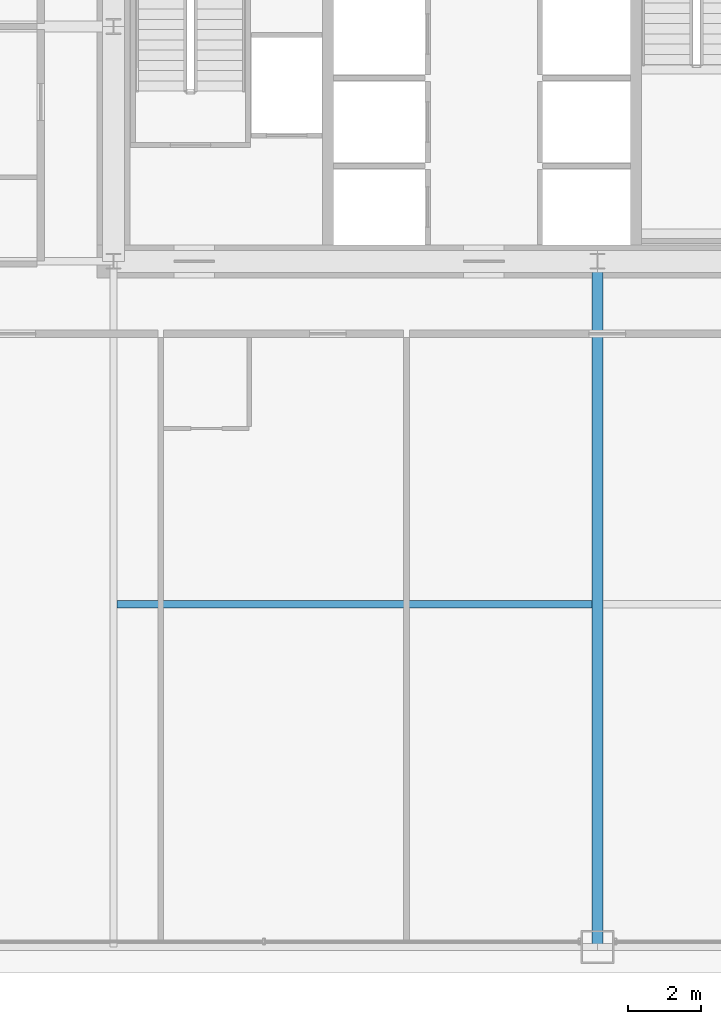
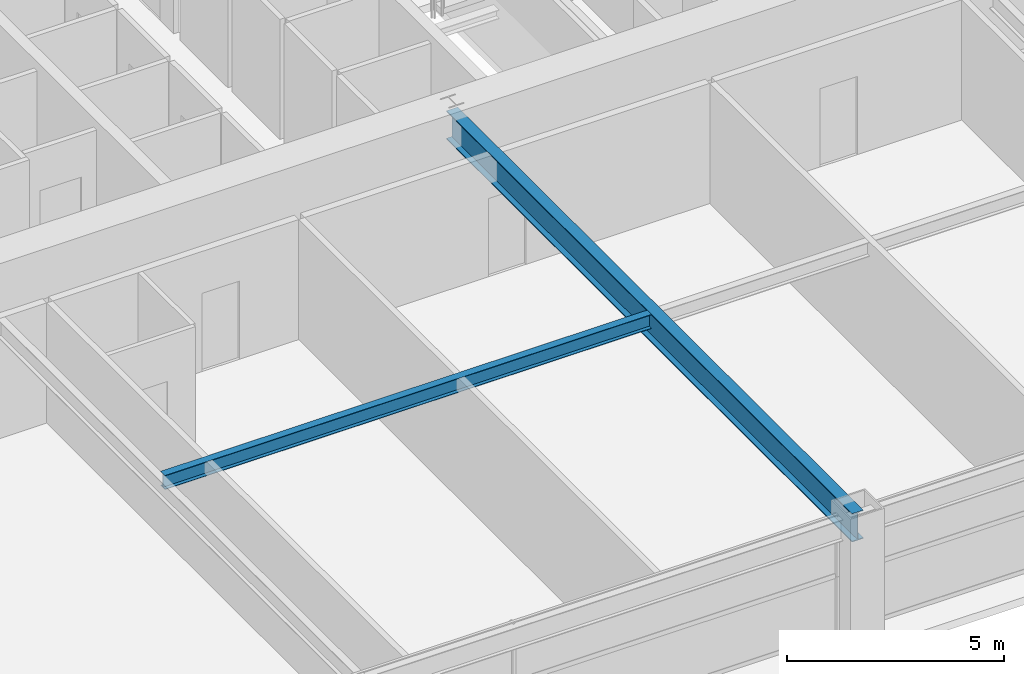
# One storey, part 8 of 43: 2 beams.
"""IFC4 building model written with IfcOpenShell, lengths in metres."""

from ifc_helpers import new_model, si_unit, direction, frame, origin, origin_2d, place, context, subcontext, project, spatial, i_section, extrude, source, transform, mapped, material, material_profile, profile_set, type_object, element, save


model = new_model("IFC4")

# Units and contexts
model_context = context("Model", 3, precision=1e-05, world=origin(), true_north=direction((0.0, 1.0)))
body_context = subcontext(model_context, "Body", "Model", "MODEL_VIEW")
ifc_project = project(units=[si_unit("LENGTHUNIT", "METRE"), si_unit("AREAUNIT", "SQUARE_METRE"), si_unit("VOLUMEUNIT", "CUBIC_METRE"), si_unit("PLANEANGLEUNIT", "RADIAN"), si_unit("MASSUNIT", "GRAM", prefix="KILO"), si_unit("THERMODYNAMICTEMPERATUREUNIT", "KELVIN"), si_unit("POWERUNIT", "WATT")], contexts=[model_context])

# Site, building, storey
site_placement = place(None, origin())
site = spatial("IfcSite", under=ifc_project, at=site_placement, CompositionType="ELEMENT")
building_placement = place(site_placement, origin())
building = spatial("IfcBuilding", under=site, at=building_placement, Name="Yuzanri Waterfront Tower", CompositionType="ELEMENT")
storey_placement = place(building_placement, frame((0.0, 0.0, 53.199951171875)))
storey = spatial("IfcBuildingStorey", under=building, at=storey_placement, Name="L13", CompositionType="ELEMENT", Elevation=53.199951171875)

# Beams
ifc_material_1 = material(Name="Steel Q355B", Category="steel")
ifc_material_profile_1 = material_profile(ifc_material_1, i_section(OverallWidth=0.300048828125, OverallDepth=0.800048828125, WebThickness=0.013916015625, FlangeThickness=0.02587890625, at=origin_2d()), Name="HN 800x300x14x26")
ifc_profile_set_1 = profile_set([ifc_material_profile_1], Name="Steel Q355B")
beam_type_1 = type_object("IfcBeamType", Name="Primary Floor Girder Q355B HN 800x300", PredefinedType="BEAM", material=ifc_profile_set_1)
shared_shape_1 = source(origin(), body_context, "Body", "SweptSolid", [
    extrude(i_section(OverallWidth=0.300048828125, OverallDepth=0.800048828125, WebThickness=0.013916015625, FlangeThickness=0.02587890625, at=origin_2d()), origin(), (0.0, 0.0, 1.0), 18.699951171875),
])
beam_1_placement = place(storey_placement, frame((37.0, 19.39990234375, 2.97998046875), z_axis=(0.0, -1.0, 0.0), x_axis=(1.0, 0.0, 0.0)))
element("IfcBeam", 1, at=beam_1_placement, inside=storey, type_object=beam_type_1, Name="L13 South Grid Girder", PredefinedType="BEAM", context=body_context, shape_type="MappedRepresentation", body=[
    mapped(shared_shape_1, transform((0.0, 0.0, 0.0), scale=1.0)),
])
ifc_material_2 = material(Name="Steel Q355B", Category="steel")
ifc_material_profile_2 = material_profile(ifc_material_2, i_section(OverallWidth=0.199951171875, OverallDepth=0.39990234375, WebThickness=0.008056640625, FlangeThickness=0.012939453125, at=origin_2d()), Name="HN 400x200x8x13")
ifc_profile_set_2 = profile_set([ifc_material_profile_2], Name="Steel Q355B")
beam_type_2 = type_object("IfcBeamType", Name="Floor Joist Q355B HN 400x200", PredefinedType="JOIST", material=ifc_profile_set_2)
shared_shape_2 = source(origin(), body_context, "Body", "SweptSolid", [
    extrude(i_section(OverallWidth=0.199951171875, OverallDepth=0.39990234375, WebThickness=0.008056640625, FlangeThickness=0.012939453125, at=origin_2d()), origin(), (0.0, 0.0, 1.0), 12.9501953125),
])
beam_2_placement = place(storey_placement, frame((23.89990234375, 10.050048828125, 3.179931640625), z_axis=(1.0, 0.0, 0.0), x_axis=(0.0, 1.0, 0.0)))
element("IfcBeam", 2, at=beam_2_placement, inside=storey, type_object=beam_type_2, Name="L13 South Bay Joist W", PredefinedType="JOIST", context=body_context, shape_type="MappedRepresentation", body=[
    mapped(shared_shape_2, transform((0.0, 0.0, 0.0), scale=1.0)),
])

save(model, "model.ifc")
